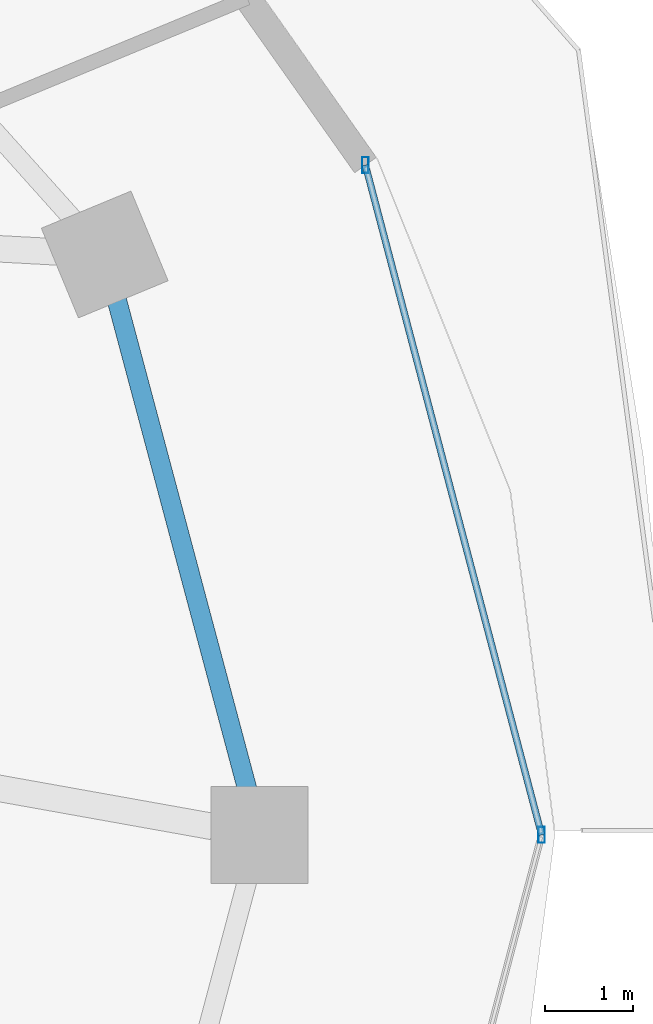
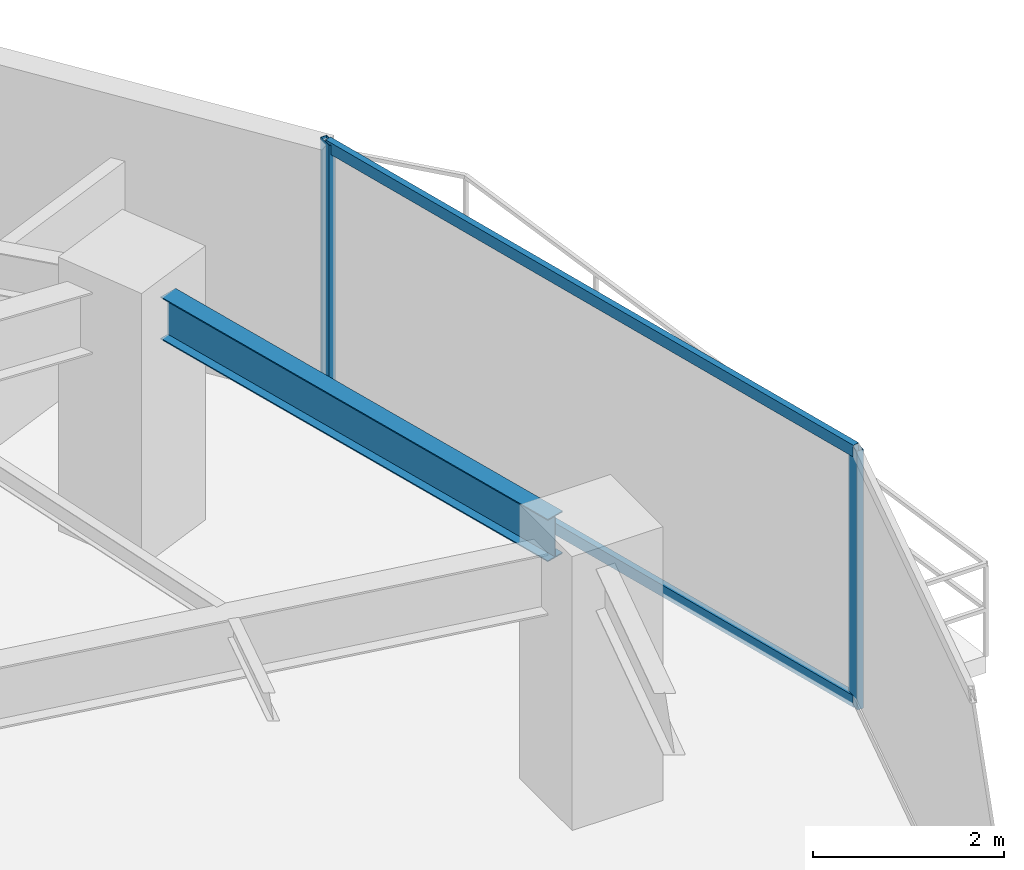
# One storey, part 16 of 31: 4 members, 1 beam, 1 element without a shape of its own.
"""IFC4 building model written with IfcOpenShell, lengths in metres."""

from ifc_helpers import new_model, si_unit, direction, frame, origin, origin_2d, place, context, subcontext, project, spatial, hollow_rectangle, i_section, extrude, material, material_profile, profile_set, type_object, element, aggregate, save


model = new_model("IFC4")

# Units and contexts
model_context = context("Model", 3, precision=1e-05, world=origin(), true_north=direction((0.0, 1.0)))
body_context = subcontext(model_context, "Body", "Model", "MODEL_VIEW")
ifc_project = project(units=[si_unit("LENGTHUNIT", "METRE"), si_unit("AREAUNIT", "SQUARE_METRE"), si_unit("VOLUMEUNIT", "CUBIC_METRE"), si_unit("PLANEANGLEUNIT", "RADIAN"), si_unit("MASSUNIT", "GRAM", prefix="KILO")], contexts=[model_context])

# Site, building, storey
site_placement = place(None, origin())
site = spatial("IfcSite", under=ifc_project, at=site_placement, CompositionType="ELEMENT")
building_placement = place(site_placement, origin())
building = spatial("IfcBuilding", under=site, at=building_placement, Name="Vorneva Point Tower", CompositionType="ELEMENT")
storey_placement = place(building_placement, frame((0.0, 0.0, 103.300048828125)))
storey = spatial("IfcBuildingStorey", under=building, at=storey_placement, Name="L27", CompositionType="ELEMENT", Elevation=103.300048828125)

# Beam
ifc_material_1 = material(Name="Steel S355", Category="steel")
ifc_material_profile_1 = material_profile(ifc_material_1, i_section(OverallWidth=0.219970703125, OverallDepth=0.54296875, WebThickness=0.009521484375, FlangeThickness=0.013427734375, at=origin_2d()), Name="55B1")
ifc_profile_set_1 = profile_set([ifc_material_profile_1], Name="Steel S355")
beam_type = type_object("IfcBeamType", Name="BM-SPN-55B1", PredefinedType="SPANDREL", material=ifc_profile_set_1)
beam_placement = place(storey_placement, frame((60.912109375, 26.516845703125, 2.968505859375), z_axis=(-0.257572674071, 0.966258928845, 0.0), x_axis=(-0.966258928845, -0.257572674071, 0.0)))
element("IfcBeam", 1, at=beam_placement, inside=storey, type_object=beam_type, Name="L27 Perimeter Spandrel Ring Beam 01", PredefinedType="SPANDREL", context=body_context, shape_type="SweptSolid", body=[
    extrude(i_section(OverallWidth=0.219970703125, OverallDepth=0.54296875, WebThickness=0.009521484375, FlangeThickness=0.013427734375, at=origin_2d()), origin(), (0.0, 0.0, 1.0), 5.7421875),
])

# Curtain wall, members
ifc_material_2 = material(Name="Pale anodised aluminium", Category="aluminium")
curtain_wall_type = type_object("IfcCurtainWallType", Name="CW-HTL-SYS", PredefinedType="NOTDEFINED", material=ifc_material_2)
curtain_wall_placement = place(storey_placement, origin())
curtain_wall = element("IfcCurtainWall", 2, at=curtain_wall_placement, inside=storey, type_object=curtain_wall_type, Name="L27 Unitised Curtain Wall CW-L27-R01", PredefinedType="NOTDEFINED")
ifc_material_profile_2 = material_profile(ifc_material_2, hollow_rectangle(XDim=0.074951171875, YDim=0.179931640625, WallThickness=0.00390625, at=origin_2d()), Name="AL-MUL 180x75x4")
ifc_profile_set_2 = profile_set([ifc_material_profile_2], Name="Pale anodised aluminium")
member_type_1 = type_object("IfcMemberType", Name="CW-MUL-180", PredefinedType="MULLION", material=ifc_profile_set_2)
member_1_placement = place(storey_placement, frame((64.25, 26.0, -0.0400390625), z_axis=(0.0, 0.0, 1.0), x_axis=(1.0, 0.0, 0.0)))
member_1 = element("IfcMember", 3, at=member_1_placement, type_object=member_type_1, Name="CW-L27-R01 Mullion 03", PredefinedType="MULLION", context=body_context, shape_type="SweptSolid", body=[
    extrude(hollow_rectangle(XDim=0.074951171875, YDim=0.179931640625, WallThickness=0.00390625, at=origin_2d()), origin(), (0.0, 0.0, 1.0), 3.31005859375),
])
member_2_placement = place(storey_placement, frame((62.251708984375, 33.59619140625, -0.0400390625), z_axis=(0.0, 0.0, 1.0), x_axis=(1.0, 0.0, 0.0)))
member_2 = element("IfcMember", 4, at=member_2_placement, type_object=member_type_1, Name="CW-L27-R01 Mullion 04", PredefinedType="MULLION", context=body_context, shape_type="SweptSolid", body=[
    extrude(hollow_rectangle(XDim=0.074951171875, YDim=0.179931640625, WallThickness=0.00390625, at=origin_2d()), origin(), (0.0, 0.0, 1.0), 3.31005859375),
])
ifc_material_profile_3 = material_profile(ifc_material_2, hollow_rectangle(XDim=0.074951171875, YDim=0.14990234375, WallThickness=0.00390625, at=origin_2d()), Name="AL-TRN 150x75x4")
ifc_profile_set_3 = profile_set([ifc_material_profile_3], Name="Pale anodised aluminium")
member_type_2 = type_object("IfcMemberType", Name="CW-TRN-150", PredefinedType="USERDEFINED", material=ifc_profile_set_3)
member_3_placement = place(storey_placement, frame((64.25, 26.0, 0.02001953125), z_axis=(-0.254409150465, 0.967096677773, 0.0), x_axis=(-0.967096677773, -0.254409150465, 0.0)))
member_3 = element("IfcMember", 5, at=member_3_placement, type_object=member_type_2, Name="CW-L27-R01 Transom 03.1", ObjectType="TRANSOM", PredefinedType="USERDEFINED", context=body_context, shape_type="SweptSolid", body=[
    extrude(hollow_rectangle(XDim=0.074951171875, YDim=0.14990234375, WallThickness=0.00390625, at=origin_2d()), origin(), (0.0, 0.0, 1.0), 7.854736328125),
])
member_4_placement = place(storey_placement, frame((64.25, 26.0, 3.219970703125), z_axis=(-0.254409150465, 0.967096677773, 0.0), x_axis=(-0.967096677773, -0.254409150465, 0.0)))
member_4 = element("IfcMember", 6, at=member_4_placement, type_object=member_type_2, Name="CW-L27-R01 Transom 03.2", ObjectType="TRANSOM", PredefinedType="USERDEFINED", context=body_context, shape_type="SweptSolid", body=[
    extrude(hollow_rectangle(XDim=0.074951171875, YDim=0.14990234375, WallThickness=0.00390625, at=origin_2d()), origin(), (0.0, 0.0, 1.0), 7.854736328125),
])
aggregate(curtain_wall, [member_1, member_2, member_3, member_4])

save(model, "model.ifc")
